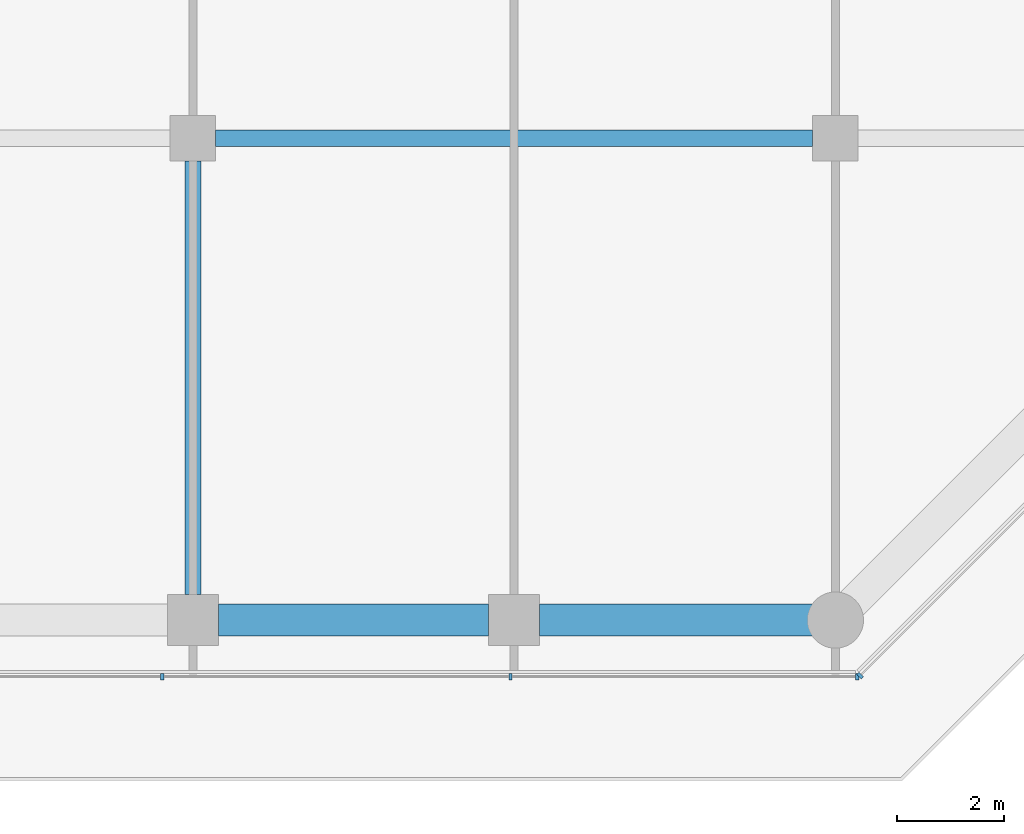
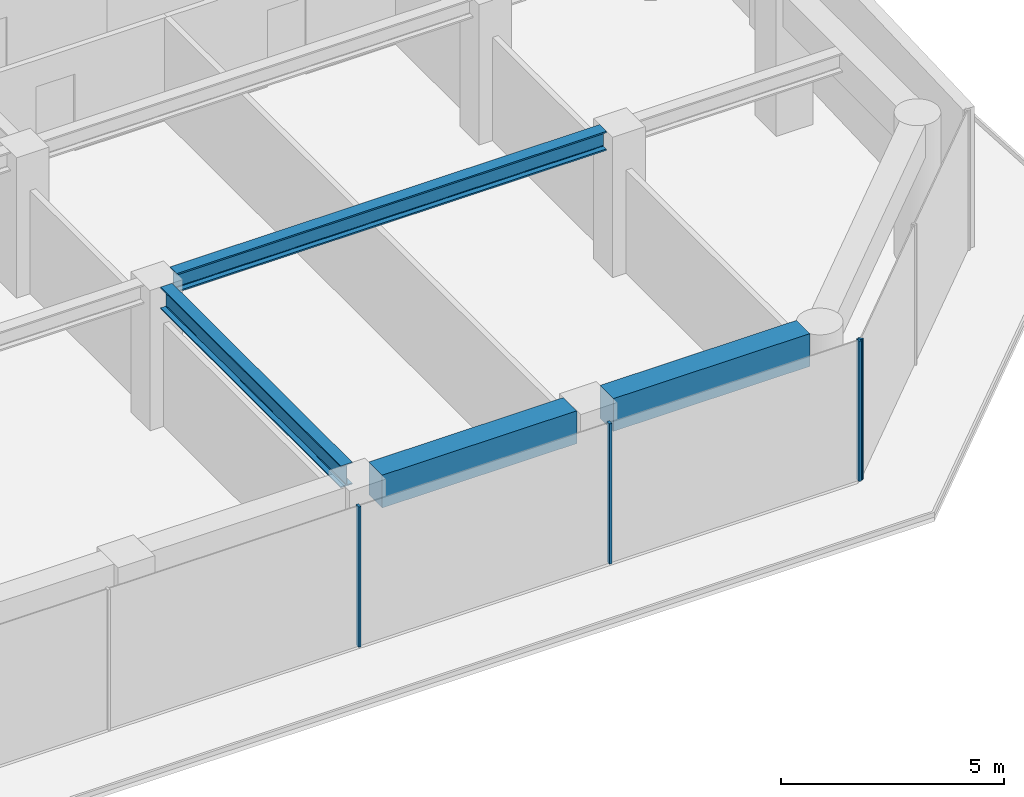
# One storey, part 10 of 29: 4 beams, 4 members, 2 elements without a shape of their own.
"""IFC4 building model written with IfcOpenShell, lengths in metres."""

from ifc_helpers import new_model, si_unit, direction, frame, origin, origin_2d, place, context, subcontext, project, spatial, rectangle, i_section, extrude, material, layer, layer_set, material_profile, profile_set, type_object, element, aggregate, save


model = new_model("IFC4")

# Units and contexts
model_context = context("Model", 3, precision=1e-05, world=origin(), true_north=direction((0.0, 1.0)))
body_context = subcontext(model_context, "Body", "Model", "MODEL_VIEW")
ifc_project = project(units=[si_unit("LENGTHUNIT", "METRE"), si_unit("AREAUNIT", "SQUARE_METRE"), si_unit("VOLUMEUNIT", "CUBIC_METRE"), si_unit("PLANEANGLEUNIT", "RADIAN"), si_unit("MASSUNIT", "GRAM", prefix="KILO")], contexts=[model_context])

# Site, building, storey
site_placement = place(None, origin())
site = spatial("IfcSite", under=ifc_project, at=site_placement, CompositionType="ELEMENT")
building_placement = place(site_placement, origin())
building = spatial("IfcBuilding", under=site, at=building_placement, Name="Welwitschia Terrace Campus", CompositionType="ELEMENT")
storey_placement = place(building_placement, frame((0.0, 0.0, 62.60009765625)))
storey = spatial("IfcBuildingStorey", under=building, at=storey_placement, Name="L14", CompositionType="ELEMENT", Elevation=62.60009765625)

# Beam
ifc_material_1 = material(Name="Steel S355", Category="steel")
ifc_material_profile_1 = material_profile(ifc_material_1, i_section(OverallWidth=0.305908203125, OverallDepth=0.52392578125, WebThickness=0.02099609375, FlangeThickness=0.0400390625, FilletRadius=0.027099609375, at=origin_2d()))
ifc_profile_set_1 = profile_set([ifc_material_profile_1], Name="Steel S355")
beam_type_1 = type_object("IfcBeamType", Name="Interior girder HE 500 M", PredefinedType="BEAM", material=ifc_profile_set_1)
beam_1_placement = place(storey_placement, frame((48.425537109375, 5.0, 3.587890625), z_axis=(1.0, 0.0, 0.0), x_axis=(0.0, 1.0, 0.0)))
element("IfcBeam", 1, at=beam_1_placement, inside=storey, type_object=beam_type_1, Name="Girder GB2", PredefinedType="BEAM", context=body_context, shape_type="SweptSolid", body=[
    extrude(i_section(OverallWidth=0.305908203125, OverallDepth=0.52392578125, WebThickness=0.02099609375, FlangeThickness=0.0400390625, FilletRadius=0.027099609375, at=origin_2d()), origin(), (0.0, 0.0, 1.0), 11.14892578125),
])

# Curtain wall, members
ifc_material_2 = material(Name="Bronze anodised aluminium", Category="aluminium")
ifc_layer = layer(ifc_material_2, 0.1201171875)
ifc_layer_set = layer_set([ifc_layer], Name="Bronze anodised aluminium")
curtain_wall_type = type_object("IfcCurtainWallType", Name="Curtain wall CW2 tower 6000", PredefinedType="NOTDEFINED", material=ifc_layer_set)
curtain_wall_1_placement = place(storey_placement, origin())
curtain_wall_1 = element("IfcCurtainWall", 2, at=curtain_wall_1_placement, inside=storey, type_object=curtain_wall_type, Name="CW L14.3.0", PredefinedType="NOTDEFINED")
ifc_material_3 = material(Name="Bronze anodised aluminium", Category="aluminium")
ifc_material_profile_2 = material_profile(ifc_material_3, rectangle(XDim=0.1201171875, YDim=0.06005859375, at=origin_2d()))
ifc_profile_set_2 = profile_set([ifc_material_profile_2], Name="Bronze anodised aluminium")
member_type = type_object("IfcMemberType", Name="Mullion 60x120", PredefinedType="MULLION", material=ifc_profile_set_2)
member_1_placement = place(storey_placement, frame((47.426513671875, -5.05810546875, 0.0), z_axis=(0.0, 0.0, 1.0), x_axis=(0.0, 1.0, 0.0)))
member_1 = element("IfcMember", 3, at=member_1_placement, type_object=member_type, Name="Mullion L14.3.0.3", PredefinedType="MULLION", context=body_context, shape_type="SweptSolid", body=[
    extrude(rectangle(XDim=0.1201171875, YDim=0.06005859375, at=origin_2d()), origin(), (0.0, 0.0, 1.0), 3.849853515625),
])
member_2_placement = place(storey_placement, frame((53.932373046875, -5.05810546875, 0.0), z_axis=(0.0, 0.0, 1.0), x_axis=(0.0, 1.0, 0.0)))
member_2 = element("IfcMember", 4, at=member_2_placement, type_object=member_type, Name="Mullion L14.3.0.4", PredefinedType="MULLION", context=body_context, shape_type="SweptSolid", body=[
    extrude(rectangle(XDim=0.1201171875, YDim=0.06005859375, at=origin_2d()), origin(), (0.0, 0.0, 1.0), 3.849853515625),
])
member_3_placement = place(storey_placement, frame((60.408203125, -5.05810546875, 0.0), z_axis=(0.0, 0.0, 1.0), x_axis=(0.0, 1.0, 0.0)))
member_3 = element("IfcMember", 5, at=member_3_placement, type_object=member_type, Name="Mullion L14.3.0.5", PredefinedType="MULLION", context=body_context, shape_type="SweptSolid", body=[
    extrude(rectangle(XDim=0.1201171875, YDim=0.06005859375, at=origin_2d()), origin(), (0.0, 0.0, 1.0), 3.849853515625),
])
aggregate(curtain_wall_1, [member_1, member_2, member_3])

# Curtain wall, member
curtain_wall_2_placement = place(storey_placement, origin())
curtain_wall_2 = element("IfcCurtainWall", 6, at=curtain_wall_2_placement, inside=storey, type_object=curtain_wall_type, Name="CW L14.4.0", PredefinedType="NOTDEFINED")
member_4_placement = place(storey_placement, frame((60.45947265625, -5.036865234375, 0.0), z_axis=(0.0, 0.0, 1.0), x_axis=(-0.707106781187, 0.707106781187, 0.0)))
member_4 = element("IfcMember", 7, at=member_4_placement, type_object=member_type, Name="Mullion L14.4.0.0", PredefinedType="MULLION", context=body_context, shape_type="SweptSolid", body=[
    extrude(rectangle(XDim=0.1201171875, YDim=0.06005859375, at=origin_2d()), origin(), (0.0, 0.0, 1.0), 3.849853515625),
])
aggregate(curtain_wall_2, [member_4])

# Beams
ifc_material_4 = material(Name="Steel S355", Category="steel")
ifc_material_profile_3 = material_profile(ifc_material_4, i_section(OverallWidth=0.300048828125, OverallDepth=0.60009765625, WebThickness=0.015380859375, FlangeThickness=0.030029296875, FilletRadius=0.027099609375, at=origin_2d()))
ifc_profile_set_3 = profile_set([ifc_material_profile_3], Name="Steel S355")
beam_type_2 = type_object("IfcBeamType", Name="Primary beam HE 600 B", PredefinedType="BEAM", material=ifc_profile_set_3)
beam_2_placement = place(storey_placement, frame((48.0, -3.5244140625, 3.5498046875), z_axis=(0.0, 1.0, 0.0), x_axis=(-1.0, 0.0, 0.0)))
element("IfcBeam", 8, at=beam_2_placement, inside=storey, type_object=beam_type_2, Name="Primary beam PB2", PredefinedType="BEAM", context=body_context, shape_type="SweptSolid", body=[
    extrude(i_section(OverallWidth=0.300048828125, OverallDepth=0.60009765625, WebThickness=0.015380859375, FlangeThickness=0.030029296875, FilletRadius=0.027099609375, at=origin_2d()), origin(), (0.0, 0.0, 1.0), 8.098876953125),
])
ifc_material_5 = material(Name="Concrete C60/75", Category="concrete")
ifc_material_profile_4 = material_profile(ifc_material_5, rectangle(XDim=0.60009765625, YDim=0.89990234375, at=origin_2d()))
ifc_profile_set_4 = profile_set([ifc_material_profile_4], Name="Concrete C60/75")
beam_type_3 = type_object("IfcBeamType", Name="Ring spandrel 600x900", PredefinedType="SPANDREL", material=ifc_profile_set_4)
beam_3_placement = place(storey_placement, frame((48.4755859375, -4.0, 3.39990234375), z_axis=(1.0, 0.0, 0.0), x_axis=(0.0, 1.0, 0.0)))
element("IfcBeam", 9, at=beam_3_placement, inside=storey, type_object=beam_type_3, Name="Spandrel SP2", PredefinedType="SPANDREL", context=body_context, shape_type="SweptSolid", body=[
    extrude(rectangle(XDim=0.60009765625, YDim=0.89990234375, at=origin_2d()), origin(), (0.0, 0.0, 1.0), 5.048828125),
])
beam_4_placement = place(storey_placement, frame((54.4755859375, -4.0, 3.39990234375), z_axis=(1.0, 0.0, 0.0), x_axis=(0.0, 1.0, 0.0)))
element("IfcBeam", 10, at=beam_4_placement, inside=storey, type_object=beam_type_3, Name="Spandrel SP2", PredefinedType="SPANDREL", context=body_context, shape_type="SweptSolid", body=[
    extrude(rectangle(XDim=0.60009765625, YDim=0.89990234375, at=origin_2d()), origin(), (0.0, 0.0, 1.0), 5.093017578125),
])

save(model, "model.ifc")
